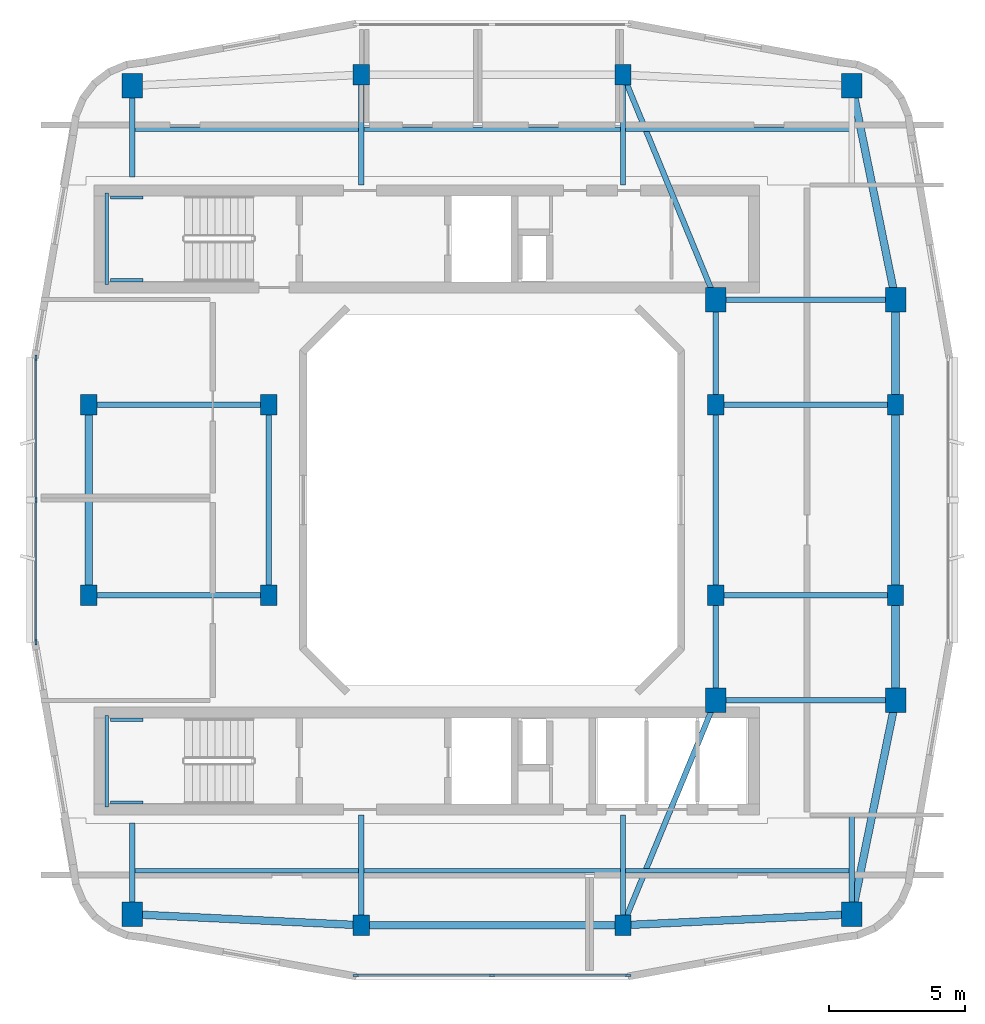
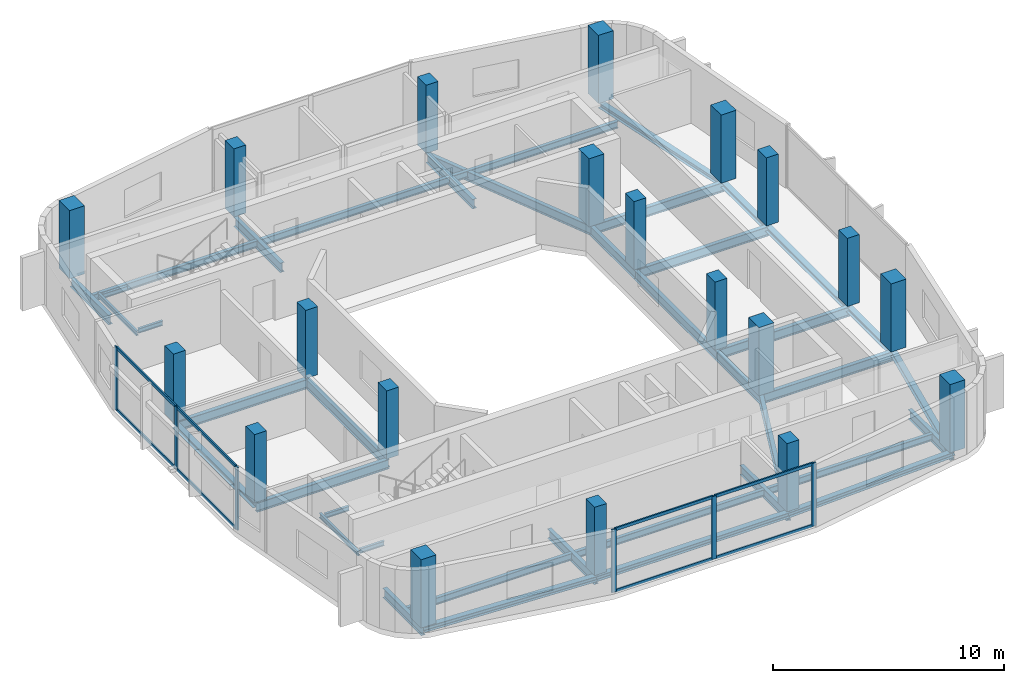
# One storey, part 1 of 10: 40 beams, 20 columns, 14 members, 2 elements without a shape of their own.
"""IFC4 building model written with IfcOpenShell, lengths in metres."""

import ifcopenshell
import ifcopenshell.guid

model = None  # the IFC model being written
_history = None  # IfcOwnerHistory: only IFC2X3 demands one
_inside = {}  # id of a spatial element -> (the spatial element, [elements in it])
_under = {}  # id of a project, library or spatial element -> (it, [spatial elements below it])
_declared = {}  # id of a project -> (the project, [libraries it declares])
_typed = {}  # id of a type object -> (the type object, [elements of that type])
_made_of = {}  # id of a material, layer set ... -> (it, [elements and type objects made of it])


def new_model(schema):
    """Start an empty IFC model of exactly this schema.

    Asked for "IFC4X3", IfcOpenShell would pick the latest addendum, in which some entities
    have other attributes; the version numbers below select the first issue.
    IFC2X3 requires an IfcOwnerHistory on every rooted entity: one is made here for all.
    """
    global model, _history
    if schema == "IFC4X3":
        model = ifcopenshell.file(schema_version=(4, 3, 0, 0))
    else:
        model = ifcopenshell.file(schema=schema)
    _inside.clear()
    _under.clear()
    _declared.clear()
    _typed.clear()
    _made_of.clear()
    _history = None
    if model.schema == "IFC2X3":
        org = make("IfcOrganization", Name="unknown")
        user = make(
            "IfcPersonAndOrganization",
            ThePerson=make("IfcPerson", FamilyName="unknown"),
            TheOrganization=org,
        )
        app = make(
            "IfcApplication",
            ApplicationDeveloper=org,
            Version="unknown",
            ApplicationFullName="unknown",
            ApplicationIdentifier="unknown",
        )
        _history = make(
            "IfcOwnerHistory",
            OwningUser=user,
            OwningApplication=app,
            ChangeAction="ADDED",
            CreationDate=0,
        )
    return model


def make(cls, **values):
    """One entity of the class cls with the attributes given. An attribute that is None is left unset."""
    return model.create_entity(
        cls, **{name: value for name, value in values.items() if value is not None}
    )


def rooted(cls, **values):
    """An entity with a GlobalId (a new one), such as an element, a storey or a relation."""
    return make(cls, GlobalId=ifcopenshell.guid.new(), OwnerHistory=_history, **values)


def si_unit(unit_type, name, prefix=None):
    """IfcSIUnit, for example si_unit("LENGTHUNIT", "METRE", prefix="MILLI")."""
    return make("IfcSIUnit", UnitType=unit_type, Prefix=prefix, Name=name)


def derived_unit(unit_type, elements):
    """IfcDerivedUnit: a product of units, each with its exponent."""
    return make(
        "IfcDerivedUnit",
        Elements=[
            make("IfcDerivedUnitElement", Unit=unit, Exponent=power)
            for unit, power in elements
        ],
        UnitType=unit_type,
    )


def assignment(units):
    """IfcUnitAssignment: the units of a project."""
    return None if units is None else make("IfcUnitAssignment", Units=units)


def point(xyz):
    """IfcCartesianPoint."""
    return None if xyz is None else make("IfcCartesianPoint", Coordinates=xyz)


def direction(xyz):
    """IfcDirection."""
    return None if xyz is None else make("IfcDirection", DirectionRatios=xyz)


def frame(location, z_axis=None, x_axis=None):
    """IfcAxis2Placement3D, a coordinate frame: its origin and axes. An axis left out is left unset."""
    return make(
        "IfcAxis2Placement3D",
        Location=point(location),
        Axis=direction(z_axis),
        RefDirection=direction(x_axis),
    )


def frame_2d(location, x_axis=None):
    """IfcAxis2Placement2D, a coordinate frame in the plane: its origin and x axis."""
    return make(
        "IfcAxis2Placement2D", Location=point(location), RefDirection=direction(x_axis)
    )


def origin():
    """The frame at (0, 0, 0) with its axes left unset."""
    return frame((0.0, 0.0, 0.0))


def origin_2d():
    """The frame at (0, 0) in the plane with its x axis left unset."""
    return frame_2d((0.0, 0.0))


def place(relative_to, where):
    """IfcLocalPlacement: puts the frame where relative to a parent placement (None: the world)."""
    return make(
        "IfcLocalPlacement", PlacementRelTo=relative_to, RelativePlacement=where
    )


def context(
    kind, dimensions, precision=None, world=None, true_north=None, identifier=None
):
    """IfcGeometricRepresentationContext, for example the 3D "Model" context."""
    return make(
        "IfcGeometricRepresentationContext",
        ContextIdentifier=identifier,
        ContextType=kind,
        CoordinateSpaceDimension=dimensions,
        Precision=precision,
        WorldCoordinateSystem=world,
        TrueNorth=true_north,
    )


def subcontext(parent, identifier, kind, view, scale=None):
    """IfcGeometricRepresentationSubContext, for example "Body" below "Model"."""
    return make(
        "IfcGeometricRepresentationSubContext",
        ContextIdentifier=identifier,
        ContextType=kind,
        ParentContext=parent,
        TargetScale=scale,
        TargetView=view,
    )


def project(units=None, contexts=None):
    """IfcProject with its units and contexts."""
    return rooted(
        "IfcProject",
        Name="project",
        RepresentationContexts=contexts,
        UnitsInContext=assignment(units),
    )


def spatial(cls, under=None, at=None, **own):
    """A site, building, storey or space (cls), placed at a placement, below another one or the project."""
    s = rooted(cls, ObjectPlacement=at, **own)
    if under is not None:
        _under.setdefault(under.id(), (under, []))[1].append(s)
    return s


def profile(cls, at=None, kind="AREA", **sizes):
    """A parametric profile (cls). Its sizes go by their IFC names, for example OverallWidth=200.0."""
    return make(cls, ProfileType=kind, Position=at, **sizes)


def rectangle(**sizes):
    """IfcRectangleProfileDef."""
    return profile("IfcRectangleProfileDef", **sizes)


def i_section(**sizes):
    """IfcIShapeProfileDef."""
    return profile("IfcIShapeProfileDef", **sizes)


def extrude(swept, where, along, depth):
    """IfcExtrudedAreaSolid: the profile swept, set in the frame where, extruded along a direction by depth."""
    return make(
        "IfcExtrudedAreaSolid",
        SweptArea=swept,
        Position=where,
        ExtrudedDirection=direction(along),
        Depth=depth,
    )


def shape(context_of_items, identifier, shape_type, items):
    """IfcShapeRepresentation: the items that make up one representation, for example the "Body"."""
    return make(
        "IfcShapeRepresentation",
        ContextOfItems=context_of_items,
        RepresentationIdentifier=identifier,
        RepresentationType=shape_type,
        Items=items,
    )


def material(Name=None, Category=None):
    """IfcMaterial."""
    return make("IfcMaterial", Name=Name, Category=Category)


def layer(
    of_material, thickness, ventilated=None, Name=None, Category=None, Priority=None
):
    """IfcMaterialLayer: one layer of a wall or slab, of a material (None: an air gap)."""
    return make(
        "IfcMaterialLayer",
        Material=of_material,
        LayerThickness=thickness,
        IsVentilated=ventilated,
        Name=Name,
        Category=Category,
        Priority=Priority,
    )


def layer_set(layers, Name=None):
    """IfcMaterialLayerSet."""
    return make("IfcMaterialLayerSet", MaterialLayers=layers, LayerSetName=Name)


def material_profile(
    of_material, cross_section, Name=None, Category=None, Priority=None
):
    """IfcMaterialProfile: a cross section and its material."""
    return make(
        "IfcMaterialProfile",
        Name=Name,
        Material=of_material,
        Profile=cross_section,
        Priority=Priority,
        Category=Category,
    )


def profile_set(profiles, Name=None, composite=None):
    """IfcMaterialProfileSet."""
    return make(
        "IfcMaterialProfileSet",
        Name=Name,
        MaterialProfiles=profiles,
        CompositeProfile=composite,
    )


def made_of(thing, what):
    """Note that an element or type object is made of a material, layer set ...; save() writes the relation."""
    if what is not None:
        _made_of.setdefault(what.id(), (what, []))[1].append(thing)
    return thing


def type_object(cls, material=None, **own):
    """A type object (cls), such as IfcWallType, which elements share."""
    return made_of(rooted(cls, **own), material)


def element(
    cls,
    number,
    at=None,
    inside=None,
    cuts=None,
    type_object=None,
    material=None,
    context=None,
    identifier="Body",
    shape_type=None,
    held_by="IfcProductDefinitionShape",
    body=None,
    shapes=None,
    **own,
):
    """One element of the class cls, such as IfcWall. Its Tag is "e" and its number.

    at: its placement. inside: the storey or other place that contains it. cuts: it is an
    opening in that element (IfcRelVoidsElement). A single representation is given by context,
    identifier, shape_type and body (its items); several are given by shapes. held_by: the class
    of the entity that holds the representations. save() writes the other relations.
    """
    e = rooted(cls, Tag="e%d" % number, ObjectPlacement=at, **own)
    if body is not None:
        shapes = [shape(context, identifier, shape_type, body)]
    if shapes is not None:
        e.Representation = make(held_by, Representations=shapes)
    if inside is not None:
        _inside.setdefault(inside.id(), (inside, []))[1].append(e)
    if cuts is not None:
        rooted(
            "IfcRelVoidsElement", RelatingBuildingElement=cuts, RelatedOpeningElement=e
        )
    if type_object is not None:
        _typed.setdefault(type_object.id(), (type_object, []))[1].append(e)
    return made_of(e, material)


def aggregate(whole, parts):
    """IfcRelAggregates: a whole, such as a stair, and the parts it consists of."""
    return rooted("IfcRelAggregates", RelatingObject=whole, RelatedObjects=parts)


def save(model, path):
    """Write the relations noted so far, then the file.

    IfcRelAggregates (storeys below a building ...), IfcRelContainedInSpatialStructure (elements
    in a storey), IfcRelDefinesByType, IfcRelAssociatesMaterial and IfcRelDeclares: one each for
    every whole, place, type object, material and project.
    """
    for whole, parts in _under.values():
        aggregate(whole, parts)
    for where, things in _inside.values():
        rooted(
            "IfcRelContainedInSpatialStructure",
            RelatedElements=things,
            RelatingStructure=where,
        )
    for kind, things in _typed.values():
        rooted("IfcRelDefinesByType", RelatedObjects=things, RelatingType=kind)
    for what, things in _made_of.values():
        rooted("IfcRelAssociatesMaterial", RelatedObjects=things, RelatingMaterial=what)
    for by, libraries in _declared.values():
        rooted("IfcRelDeclares", RelatingContext=by, RelatedDefinitions=libraries)
    model.write(path)


model = new_model("IFC4")

# Units and contexts
model_context = context("Model", 3, precision=1e-05, world=origin(), true_north=direction((0.0, 1.0)))
body_context = subcontext(model_context, "Body", "Model", "MODEL_VIEW")
ifc_project = project(units=[si_unit("LENGTHUNIT", "METRE"), si_unit("AREAUNIT", "SQUARE_METRE"), si_unit("VOLUMEUNIT", "CUBIC_METRE"), si_unit("PLANEANGLEUNIT", "RADIAN"), si_unit("MASSUNIT", "GRAM", prefix="KILO"), derived_unit("THERMALTRANSMITTANCEUNIT", [(si_unit("POWERUNIT", "WATT"), 1), (si_unit("LENGTHUNIT", "METRE"), -2), (si_unit("THERMODYNAMICTEMPERATUREUNIT", "KELVIN"), -1)])], contexts=[model_context])

# Site, building, storey
site_placement = place(None, origin())
site = spatial("IfcSite", under=ifc_project, at=site_placement, CompositionType="ELEMENT")
building_placement = place(site_placement, origin())
building = spatial("IfcBuilding", under=site, at=building_placement, Name="Kivonza Crest Hotel", CompositionType="ELEMENT")
storey_placement = place(building_placement, frame((0.0, 0.0, 264.800048828125)))
storey = spatial("IfcBuildingStorey", under=building, at=storey_placement, Name="L72", CompositionType="ELEMENT", Elevation=264.800048828125)

# Columns
ifc_material_1 = material(Name="Concrete C50/60", Category="concrete")
ifc_material_profile_1 = material_profile(ifc_material_1, rectangle(XDim=0.60009765625, YDim=0.75, at=origin_2d()), Name="RC 750x600")
ifc_profile_set_1 = profile_set([ifc_material_profile_1], Name="Concrete C50/60")
column_type_1 = type_object("IfcColumnType", Name="CL-RC-750x600", PredefinedType="COLUMN", material=ifc_profile_set_1)
for number, where, z_axis, x_axis, name in (
    (1, (16.199951171875, 9.39990234375, 0.0), (0.0, 0.0, 1.0), (1.0, 0.0, 0.0), "Tower T1 L72 column S1"),
    (2, (25.800048828125, 9.39990234375, 0.0), (0.0, 0.0, 1.0), (1.0, 0.0, 0.0), "Tower T1 L72 column S2"),
    (3, (16.199951171875, 40.60009765625, 0.0), (0.0, 0.0, 1.0), (1.0, 0.0, 0.0), "Tower T1 L72 column N1"),
    (4, (25.800048828125, 40.60009765625, 0.0), (0.0, 0.0, 1.0), (1.0, 0.0, 0.0), "Tower T1 L72 column N2"),
    (5, (6.199951171875, 21.5, 0.0), (0.0, 0.0, 1.0), (1.0, 0.0, 0.0), "Tower T1 L72 column W1"),
    (6, (6.199951171875, 28.5, 0.0), (0.0, 0.0, 1.0), (1.0, 0.0, 0.0), "Tower T1 L72 column W2"),
    (7, (35.800048828125, 21.5, 0.0), (0.0, 0.0, 1.0), (1.0, 0.0, 0.0), "Tower T1 L72 column E1"),
    (8, (35.800048828125, 28.5, 0.0), (0.0, 0.0, 1.0), (1.0, 0.0, 0.0), "Tower T1 L72 column E2"),
    (9, (12.800048828125, 21.5, 0.0), (0.0, 0.0, 1.0), (1.0, 0.0, 0.0), "Tower T1 L72 column WL1"),
    (10, (12.800048828125, 28.5, 0.0), (0.0, 0.0, 1.0), (1.0, 0.0, 0.0), "Tower T1 L72 column WL2"),
    (11, (29.199951171875, 21.5, 0.0), (0.0, 0.0, 1.0), (1.0, 0.0, 0.0), "Tower T1 L72 column WR1"),
    (12, (29.199951171875, 28.5, 0.0), (0.0, 0.0, 1.0), (1.0, 0.0, 0.0), "Tower T1 L72 column WR2"),
):
    element("IfcColumn", number, at=place(storey_placement, frame(where, z_axis=z_axis, x_axis=x_axis)), inside=storey, type_object=column_type_1, Name=name, PredefinedType="COLUMN", context=body_context, shape_type="SweptSolid", body=[
        extrude(rectangle(XDim=0.60009765625, YDim=0.75, at=origin_2d()), origin(), (0.0, 0.0, 1.0), 3.599853515625),
    ])
ifc_material_profile_2 = material_profile(ifc_material_1, rectangle(XDim=0.75, YDim=0.89990234375, at=origin_2d()), Name="RC 900x750")
ifc_profile_set_2 = profile_set([ifc_material_profile_2], Name="Concrete C50/60")
column_type_2 = type_object("IfcColumnType", Name="CL-RC-900x750", PredefinedType="COLUMN", material=ifc_profile_set_2)
for number, where, z_axis, x_axis, name in (
    (13, (7.800048828125, 9.800048828125, 0.0), (0.0, 0.0, 1.0), (1.0, 0.0, 0.0), "Tower T1 L72 column SW"),
    (14, (34.199951171875, 9.800048828125, 0.0), (0.0, 0.0, 1.0), (1.0, 0.0, 0.0), "Tower T1 L72 column SE"),
    (15, (34.199951171875, 40.199951171875, 0.0), (0.0, 0.0, 1.0), (1.0, 0.0, 0.0), "Tower T1 L72 column NE"),
    (16, (7.800048828125, 40.199951171875, 0.0), (0.0, 0.0, 1.0), (1.0, 0.0, 0.0), "Tower T1 L72 column NW"),
    (17, (35.800048828125, 17.64990234375, 0.0), (0.0, 0.0, 1.0), (1.0, 0.0, 0.0), "Tower T1 L72 column PSE"),
    (18, (35.800048828125, 32.35009765625, 0.0), (0.0, 0.0, 1.0), (1.0, 0.0, 0.0), "Tower T1 L72 column PNE"),
    (19, (29.199951171875, 17.64990234375, 0.0), (0.0, 0.0, 1.0), (1.0, 0.0, 0.0), "Tower T1 L72 column TSE"),
    (20, (29.199951171875, 32.35009765625, 0.0), (0.0, 0.0, 1.0), (1.0, 0.0, 0.0), "Tower T1 L72 column TNE"),
):
    element("IfcColumn", number, at=place(storey_placement, frame(where, z_axis=z_axis, x_axis=x_axis)), inside=storey, type_object=column_type_2, Name=name, PredefinedType="COLUMN", context=body_context, shape_type="SweptSolid", body=[
        extrude(rectangle(XDim=0.75, YDim=0.89990234375, at=origin_2d()), origin(), (0.0, 0.0, 1.0), 3.599853515625),
    ])

# Beams
ifc_material_2 = material(Name="Steel S355", Category="steel")
ifc_material_profile_3 = material_profile(ifc_material_2, i_section(OverallWidth=0.280029296875, OverallDepth=0.280029296875, WebThickness=0.010498046875, FlangeThickness=0.01806640625, FilletRadius=0.02392578125, at=origin_2d()), Name="HEB 280")
ifc_profile_set_3 = profile_set([ifc_material_profile_3], Name="Steel S355")
beam_type_1 = type_object("IfcBeamType", Name="BM-HEB280", PredefinedType="SPANDREL", material=ifc_profile_set_3)
beam_1_placement = place(storey_placement, frame((16.199951171875, 9.39990234375, -0.420166015625), z_axis=(1.0, 0.0, 0.0), x_axis=(0.0, 1.0, 0.0)))
element("IfcBeam", 21, at=beam_1_placement, inside=storey, type_object=beam_type_1, Name="Tower T1 L72 perimeter spandrel S1-S2", PredefinedType="SPANDREL", context=body_context, shape_type="SweptSolid", body=[
    extrude(i_section(OverallWidth=0.280029296875, OverallDepth=0.280029296875, WebThickness=0.010498046875, FlangeThickness=0.01806640625, FilletRadius=0.02392578125, at=origin_2d()), origin(), (0.0, 0.0, 1.0), 9.60009765625),
])
beam_2_placement = place(storey_placement, frame((25.800048828125, 9.39990234375, -0.420166015625), z_axis=(0.998867283688, 0.047583080799, 0.0), x_axis=(-0.047583080799, 0.998867283688, 0.0)))
element("IfcBeam", 22, at=beam_2_placement, inside=storey, type_object=beam_type_1, Name="Tower T1 L72 perimeter spandrel S2-SE", PredefinedType="SPANDREL", context=body_context, shape_type="SweptSolid", body=[
    extrude(i_section(OverallWidth=0.280029296875, OverallDepth=0.280029296875, WebThickness=0.010498046875, FlangeThickness=0.01806640625, FilletRadius=0.02392578125, at=origin_2d()), origin(), (0.0, 0.0, 1.0), 8.409423828125),
])
beam_3_placement = place(storey_placement, frame((34.199951171875, 9.800048828125, -0.420166015625), z_axis=(0.199730733965, 0.979850822273, 0.0), x_axis=(-0.979850822273, 0.199730733965, 0.0)))
element("IfcBeam", 23, at=beam_3_placement, inside=storey, type_object=beam_type_1, Name="Tower T1 L72 perimeter spandrel SE-PSE", PredefinedType="SPANDREL", context=body_context, shape_type="SweptSolid", body=[
    extrude(i_section(OverallWidth=0.280029296875, OverallDepth=0.280029296875, WebThickness=0.010498046875, FlangeThickness=0.01806640625, FilletRadius=0.02392578125, at=origin_2d()), origin(), (0.0, 0.0, 1.0), 8.01123046875),
])
beam_4_placement = place(storey_placement, frame((35.800048828125, 17.64990234375, -0.420166015625), z_axis=(0.0, 1.0, 0.0), x_axis=(-1.0, 0.0, 0.0)))
element("IfcBeam", 24, at=beam_4_placement, inside=storey, type_object=beam_type_1, Name="Tower T1 L72 perimeter spandrel PSE-E1", PredefinedType="SPANDREL", context=body_context, shape_type="SweptSolid", body=[
    extrude(i_section(OverallWidth=0.280029296875, OverallDepth=0.280029296875, WebThickness=0.010498046875, FlangeThickness=0.01806640625, FilletRadius=0.02392578125, at=origin_2d()), origin(), (0.0, 0.0, 1.0), 3.85009765625),
])
beam_5_placement = place(storey_placement, frame((35.800048828125, 21.5, -0.420166015625), z_axis=(0.0, 1.0, 0.0), x_axis=(-1.0, 0.0, 0.0)))
element("IfcBeam", 25, at=beam_5_placement, inside=storey, type_object=beam_type_1, Name="Tower T1 L72 perimeter spandrel E1-E2", PredefinedType="SPANDREL", context=body_context, shape_type="SweptSolid", body=[
    extrude(i_section(OverallWidth=0.280029296875, OverallDepth=0.280029296875, WebThickness=0.010498046875, FlangeThickness=0.01806640625, FilletRadius=0.02392578125, at=origin_2d()), origin(), (0.0, 0.0, 1.0), 7.0),
])
beam_6_placement = place(storey_placement, frame((35.800048828125, 28.5, -0.420166015625), z_axis=(0.0, 1.0, 0.0), x_axis=(-1.0, 0.0, 0.0)))
element("IfcBeam", 26, at=beam_6_placement, inside=storey, type_object=beam_type_1, Name="Tower T1 L72 perimeter spandrel E2-PNE", PredefinedType="SPANDREL", context=body_context, shape_type="SweptSolid", body=[
    extrude(i_section(OverallWidth=0.280029296875, OverallDepth=0.280029296875, WebThickness=0.010498046875, FlangeThickness=0.01806640625, FilletRadius=0.02392578125, at=origin_2d()), origin(), (0.0, 0.0, 1.0), 3.85009765625),
])
beam_7_placement = place(storey_placement, frame((35.800048828125, 32.35009765625, -0.420166015625), z_axis=(-0.199730733965, 0.979850822273, 0.0), x_axis=(-0.979850822273, -0.199730733965, 0.0)))
element("IfcBeam", 27, at=beam_7_placement, inside=storey, type_object=beam_type_1, Name="Tower T1 L72 perimeter spandrel PNE-NE", PredefinedType="SPANDREL", context=body_context, shape_type="SweptSolid", body=[
    extrude(i_section(OverallWidth=0.280029296875, OverallDepth=0.280029296875, WebThickness=0.010498046875, FlangeThickness=0.01806640625, FilletRadius=0.02392578125, at=origin_2d()), origin(), (0.0, 0.0, 1.0), 8.01123046875),
])
beam_8_placement = place(storey_placement, frame((6.199951171875, 28.5, -0.420166015625), z_axis=(0.0, -1.0, 0.0), x_axis=(1.0, 0.0, 0.0)))
element("IfcBeam", 28, at=beam_8_placement, inside=storey, type_object=beam_type_1, Name="Tower T1 L72 perimeter spandrel W2-W1", PredefinedType="SPANDREL", context=body_context, shape_type="SweptSolid", body=[
    extrude(i_section(OverallWidth=0.280029296875, OverallDepth=0.280029296875, WebThickness=0.010498046875, FlangeThickness=0.01806640625, FilletRadius=0.02392578125, at=origin_2d()), origin(), (0.0, 0.0, 1.0), 7.0),
])
beam_9_placement = place(storey_placement, frame((7.800048828125, 9.800048828125, -0.420166015625), z_axis=(0.998867283688, -0.047583080799, 0.0), x_axis=(0.047583080799, 0.998867283688, 0.0)))
element("IfcBeam", 29, at=beam_9_placement, inside=storey, type_object=beam_type_1, Name="Tower T1 L72 perimeter spandrel SW-S1", PredefinedType="SPANDREL", context=body_context, shape_type="SweptSolid", body=[
    extrude(i_section(OverallWidth=0.280029296875, OverallDepth=0.280029296875, WebThickness=0.010498046875, FlangeThickness=0.01806640625, FilletRadius=0.02392578125, at=origin_2d()), origin(), (0.0, 0.0, 1.0), 8.409423828125),
])
ifc_material_profile_4 = material_profile(ifc_material_2, i_section(OverallWidth=0.169921875, OverallDepth=0.360107421875, WebThickness=0.008056640625, FlangeThickness=0.0126953125, FilletRadius=0.01806640625, at=origin_2d()), Name="IPE 360")
ifc_profile_set_4 = profile_set([ifc_material_profile_4], Name="Steel S355")
beam_type_2 = type_object("IfcBeamType", Name="BM-IPE360", PredefinedType="JOIST", material=ifc_profile_set_4)
beam_10_placement = place(storey_placement, frame((7.8798828125, 11.39990234375, -0.4599609375), z_axis=(1.0, 0.0, 0.0), x_axis=(0.0, 1.0, 0.0)))
element("IfcBeam", 30, at=beam_10_placement, inside=storey, type_object=beam_type_2, Name="Tower T1 L72 South-West floor joist", PredefinedType="JOIST", context=body_context, shape_type="SweptSolid", body=[
    extrude(i_section(OverallWidth=0.169921875, OverallDepth=0.360107421875, WebThickness=0.008056640625, FlangeThickness=0.0126953125, FilletRadius=0.01806640625, at=origin_2d()), origin(), (0.0, 0.0, 1.0), 8.240234375),
])
beam_11_placement = place(storey_placement, frame((16.280029296875, 11.39990234375, -0.4599609375), z_axis=(1.0, 0.0, 0.0), x_axis=(0.0, 1.0, 0.0)))
element("IfcBeam", 31, at=beam_11_placement, inside=storey, type_object=beam_type_2, Name="Tower T1 L72 South-Mid floor joist", PredefinedType="JOIST", context=body_context, shape_type="SweptSolid", body=[
    extrude(i_section(OverallWidth=0.169921875, OverallDepth=0.360107421875, WebThickness=0.008056640625, FlangeThickness=0.0126953125, FilletRadius=0.01806640625, at=origin_2d()), origin(), (0.0, 0.0, 1.0), 9.43994140625),
])
for number, where, z_axis, x_axis, name in (
    (32, (25.8798828125, 11.39990234375, -0.4599609375), (1.0, 0.0, 0.0), (0.0, 1.0, 0.0), "Tower T1 L72 South-East floor joist"),
    (33, (7.8798828125, 38.60009765625, -0.4599609375), (1.0, 0.0, 0.0), (0.0, 1.0, 0.0), "Tower T1 L72 North-West floor joist"),
):
    element("IfcBeam", number, at=place(storey_placement, frame(where, z_axis=z_axis, x_axis=x_axis)), inside=storey, type_object=beam_type_2, Name=name, PredefinedType="JOIST", context=body_context, shape_type="SweptSolid", body=[
        extrude(i_section(OverallWidth=0.169921875, OverallDepth=0.360107421875, WebThickness=0.008056640625, FlangeThickness=0.0126953125, FilletRadius=0.01806640625, at=origin_2d()), origin(), (0.0, 0.0, 1.0), 8.240234375),
    ])
beam_12_placement = place(storey_placement, frame((16.280029296875, 38.60009765625, -0.4599609375), z_axis=(1.0, 0.0, 0.0), x_axis=(0.0, 1.0, 0.0)))
element("IfcBeam", 34, at=beam_12_placement, inside=storey, type_object=beam_type_2, Name="Tower T1 L72 North-Mid floor joist", PredefinedType="JOIST", context=body_context, shape_type="SweptSolid", body=[
    extrude(i_section(OverallWidth=0.169921875, OverallDepth=0.360107421875, WebThickness=0.008056640625, FlangeThickness=0.0126953125, FilletRadius=0.01806640625, at=origin_2d()), origin(), (0.0, 0.0, 1.0), 9.43994140625),
])
beam_13_placement = place(storey_placement, frame((25.8798828125, 38.60009765625, -0.4599609375), z_axis=(1.0, 0.0, 0.0), x_axis=(0.0, 1.0, 0.0)))
element("IfcBeam", 35, at=beam_13_placement, inside=storey, type_object=beam_type_2, Name="Tower T1 L72 North-East floor joist", PredefinedType="JOIST", context=body_context, shape_type="SweptSolid", body=[
    extrude(i_section(OverallWidth=0.169921875, OverallDepth=0.360107421875, WebThickness=0.008056640625, FlangeThickness=0.0126953125, FilletRadius=0.01806640625, at=origin_2d()), origin(), (0.0, 0.0, 1.0), 8.240234375),
])
ifc_material_profile_5 = material_profile(ifc_material_2, i_section(OverallWidth=0.199951171875, OverallDepth=0.5, WebThickness=0.01025390625, FlangeThickness=0.01611328125, FilletRadius=0.02099609375, at=origin_2d()), Name="IPE 500")
ifc_profile_set_5 = profile_set([ifc_material_profile_5], Name="Steel S355")
beam_type_3 = type_object("IfcBeamType", Name="BM-IPE500", PredefinedType="BEAM", material=ifc_profile_set_5)
for number, where, z_axis, x_axis, name in (
    (36, (6.199951171875, 21.5, -0.530029296875), (1.0, 0.0, 0.0), (0.0, 1.0, 0.0), "Tower T1 L72 primary girder W1-WL1"),
    (37, (6.199951171875, 28.5, -0.530029296875), (1.0, 0.0, 0.0), (0.0, 1.0, 0.0), "Tower T1 L72 primary girder W2-WL2"),
):
    element("IfcBeam", number, at=place(storey_placement, frame(where, z_axis=z_axis, x_axis=x_axis)), inside=storey, type_object=beam_type_3, Name=name, PredefinedType="BEAM", context=body_context, shape_type="SweptSolid", body=[
        extrude(i_section(OverallWidth=0.199951171875, OverallDepth=0.5, WebThickness=0.01025390625, FlangeThickness=0.01611328125, FilletRadius=0.02099609375, at=origin_2d()), origin(), (0.0, 0.0, 1.0), 6.60009765625),
    ])
beam_14_placement = place(storey_placement, frame((12.800048828125, 21.5, -0.530029296875), z_axis=(0.0, 1.0, 0.0), x_axis=(-1.0, 0.0, 0.0)))
element("IfcBeam", 38, at=beam_14_placement, inside=storey, type_object=beam_type_3, Name="Tower T1 L72 primary girder WL1-WL2", PredefinedType="BEAM", context=body_context, shape_type="SweptSolid", body=[
    extrude(i_section(OverallWidth=0.199951171875, OverallDepth=0.5, WebThickness=0.01025390625, FlangeThickness=0.01611328125, FilletRadius=0.02099609375, at=origin_2d()), origin(), (0.0, 0.0, 1.0), 7.0),
])
for number, where, z_axis, x_axis, name in (
    (39, (25.800048828125, 9.39990234375, -0.530029296875), (0.381022260404, 0.924565864109, 0.0), (-0.924565864109, 0.381022260404, 0.0), "Tower T1 L72 primary girder S1-TSE"),
    (40, (25.800048828125, 40.60009765625, -0.530029296875), (0.381022260404, -0.924565864109, 0.0), (0.924565864109, 0.381022260404, 0.0), "Tower T1 L72 primary girder N1-TNE"),
):
    element("IfcBeam", number, at=place(storey_placement, frame(where, z_axis=z_axis, x_axis=x_axis)), inside=storey, type_object=beam_type_3, Name=name, PredefinedType="BEAM", context=body_context, shape_type="SweptSolid", body=[
        extrude(i_section(OverallWidth=0.199951171875, OverallDepth=0.5, WebThickness=0.01025390625, FlangeThickness=0.01611328125, FilletRadius=0.02099609375, at=origin_2d()), origin(), (0.0, 0.0, 1.0), 8.923095703125),
    ])
for number, where, z_axis, x_axis, name in (
    (41, (29.199951171875, 17.64990234375, -0.530029296875), (1.0, 0.0, 0.0), (0.0, 1.0, 0.0), "Tower T1 L72 primary girder TSE-PSE"),
    (42, (29.199951171875, 32.35009765625, -0.530029296875), (1.0, 0.0, 0.0), (0.0, 1.0, 0.0), "Tower T1 L72 primary girder TNE-PNE"),
):
    element("IfcBeam", number, at=place(storey_placement, frame(where, z_axis=z_axis, x_axis=x_axis)), inside=storey, type_object=beam_type_3, Name=name, PredefinedType="BEAM", context=body_context, shape_type="SweptSolid", body=[
        extrude(i_section(OverallWidth=0.199951171875, OverallDepth=0.5, WebThickness=0.01025390625, FlangeThickness=0.01611328125, FilletRadius=0.02099609375, at=origin_2d()), origin(), (0.0, 0.0, 1.0), 6.60009765625),
    ])
beam_15_placement = place(storey_placement, frame((29.199951171875, 21.5, -0.530029296875), z_axis=(0.0, 1.0, 0.0), x_axis=(-1.0, 0.0, 0.0)))
element("IfcBeam", 43, at=beam_15_placement, inside=storey, type_object=beam_type_3, Name="Tower T1 L72 primary girder WR1-WR2", PredefinedType="BEAM", context=body_context, shape_type="SweptSolid", body=[
    extrude(i_section(OverallWidth=0.199951171875, OverallDepth=0.5, WebThickness=0.01025390625, FlangeThickness=0.01611328125, FilletRadius=0.02099609375, at=origin_2d()), origin(), (0.0, 0.0, 1.0), 7.0),
])
for number, where, z_axis, x_axis, name in (
    (44, (29.199951171875, 17.64990234375, -0.530029296875), (0.0, 1.0, 0.0), (-1.0, 0.0, 0.0), "Tower T1 L72 primary girder TSE-WR1"),
    (45, (29.199951171875, 28.5, -0.530029296875), (0.0, 1.0, 0.0), (-1.0, 0.0, 0.0), "Tower T1 L72 primary girder WR2-TNE"),
):
    element("IfcBeam", number, at=place(storey_placement, frame(where, z_axis=z_axis, x_axis=x_axis)), inside=storey, type_object=beam_type_3, Name=name, PredefinedType="BEAM", context=body_context, shape_type="SweptSolid", body=[
        extrude(i_section(OverallWidth=0.199951171875, OverallDepth=0.5, WebThickness=0.01025390625, FlangeThickness=0.01611328125, FilletRadius=0.02099609375, at=origin_2d()), origin(), (0.0, 0.0, 1.0), 3.85009765625),
    ])
for number, where, z_axis, x_axis, name in (
    (46, (29.199951171875, 21.5, -0.530029296875), (1.0, 0.0, 0.0), (0.0, 1.0, 0.0), "Tower T1 L72 primary girder WR1-E1"),
    (47, (29.199951171875, 28.5, -0.530029296875), (1.0, 0.0, 0.0), (0.0, 1.0, 0.0), "Tower T1 L72 primary girder WR2-E2"),
):
    element("IfcBeam", number, at=place(storey_placement, frame(where, z_axis=z_axis, x_axis=x_axis)), inside=storey, type_object=beam_type_3, Name=name, PredefinedType="BEAM", context=body_context, shape_type="SweptSolid", body=[
        extrude(i_section(OverallWidth=0.199951171875, OverallDepth=0.5, WebThickness=0.01025390625, FlangeThickness=0.01611328125, FilletRadius=0.02099609375, at=origin_2d()), origin(), (0.0, 0.0, 1.0), 6.60009765625),
    ])
beam_16_placement = place(storey_placement, frame((7.800048828125, 9.800048828125, -0.530029296875), z_axis=(0.0, 1.0, 0.0), x_axis=(-1.0, 0.0, 0.0)))
element("IfcBeam", 48, at=beam_16_placement, inside=storey, type_object=beam_type_3, Name="Tower T1 L72 radial core girder RSW", PredefinedType="BEAM", context=body_context, shape_type="SweptSolid", body=[
    extrude(i_section(OverallWidth=0.199951171875, OverallDepth=0.5, WebThickness=0.01025390625, FlangeThickness=0.01611328125, FilletRadius=0.02099609375, at=origin_2d()), origin(), (0.0, 0.0, 1.0), 3.349853515625),
])
for number, where, z_axis, x_axis, name in (
    (49, (16.199951171875, 9.39990234375, -0.530029296875), (0.0, 1.0, 0.0), (-1.0, 0.0, 0.0), "Tower T1 L72 radial core girder RS1"),
    (50, (25.800048828125, 9.39990234375, -0.530029296875), (0.0, 1.0, 0.0), (-1.0, 0.0, 0.0), "Tower T1 L72 radial core girder RS2"),
):
    element("IfcBeam", number, at=place(storey_placement, frame(where, z_axis=z_axis, x_axis=x_axis)), inside=storey, type_object=beam_type_3, Name=name, PredefinedType="BEAM", context=body_context, shape_type="SweptSolid", body=[
        extrude(i_section(OverallWidth=0.199951171875, OverallDepth=0.5, WebThickness=0.01025390625, FlangeThickness=0.01611328125, FilletRadius=0.02099609375, at=origin_2d()), origin(), (0.0, 0.0, 1.0), 4.050048828125),
    ])
beam_17_placement = place(storey_placement, frame((34.199951171875, 9.800048828125, -0.530029296875), z_axis=(0.0, 1.0, 0.0), x_axis=(-1.0, 0.0, 0.0)))
element("IfcBeam", 51, at=beam_17_placement, inside=storey, type_object=beam_type_3, Name="Tower T1 L72 radial core girder RSE", PredefinedType="BEAM", context=body_context, shape_type="SweptSolid", body=[
    extrude(i_section(OverallWidth=0.199951171875, OverallDepth=0.5, WebThickness=0.01025390625, FlangeThickness=0.01611328125, FilletRadius=0.02099609375, at=origin_2d()), origin(), (0.0, 0.0, 1.0), 3.64990234375),
])
beam_18_placement = place(storey_placement, frame((7.800048828125, 40.199951171875, -0.530029296875), z_axis=(0.0, -1.0, 0.0), x_axis=(1.0, 0.0, 0.0)))
element("IfcBeam", 52, at=beam_18_placement, inside=storey, type_object=beam_type_3, Name="Tower T1 L72 radial core girder RNW", PredefinedType="BEAM", context=body_context, shape_type="SweptSolid", body=[
    extrude(i_section(OverallWidth=0.199951171875, OverallDepth=0.5, WebThickness=0.01025390625, FlangeThickness=0.01611328125, FilletRadius=0.02099609375, at=origin_2d()), origin(), (0.0, 0.0, 1.0), 3.349853515625),
])
for number, where, z_axis, x_axis, name in (
    (53, (16.199951171875, 40.60009765625, -0.530029296875), (0.0, -1.0, 0.0), (1.0, 0.0, 0.0), "Tower T1 L72 radial core girder RN1"),
    (54, (25.800048828125, 40.60009765625, -0.530029296875), (0.0, -1.0, 0.0), (1.0, 0.0, 0.0), "Tower T1 L72 radial core girder RN2"),
):
    element("IfcBeam", number, at=place(storey_placement, frame(where, z_axis=z_axis, x_axis=x_axis)), inside=storey, type_object=beam_type_3, Name=name, PredefinedType="BEAM", context=body_context, shape_type="SweptSolid", body=[
        extrude(i_section(OverallWidth=0.199951171875, OverallDepth=0.5, WebThickness=0.01025390625, FlangeThickness=0.01611328125, FilletRadius=0.02099609375, at=origin_2d()), origin(), (0.0, 0.0, 1.0), 4.050048828125),
    ])
ifc_material_profile_6 = material_profile(ifc_material_2, i_section(OverallWidth=0.1201171875, OverallDepth=0.239990234375, WebThickness=0.006103515625, FlangeThickness=0.009765625, FilletRadius=0.014892578125, at=origin_2d()), Name="IPE 240")
ifc_profile_set_6 = profile_set([ifc_material_profile_6], Name="Steel S355")
beam_type_4 = type_object("IfcBeamType", Name="BM-LLDG-240", PredefinedType="BEAM", material=ifc_profile_set_6)
beam_19_placement = place(storey_placement, frame((6.860107421875, 32.89990234375, 1.47998046875), z_axis=(0.0, 1.0, 0.0), x_axis=(-1.0, 0.0, 0.0)))
element("IfcBeam", 55, at=beam_19_placement, inside=storey, type_object=beam_type_4, Name="Stair ST-T1-N L72 West landing corbel", PredefinedType="BEAM", context=body_context, shape_type="SweptSolid", body=[
    extrude(i_section(OverallWidth=0.1201171875, OverallDepth=0.239990234375, WebThickness=0.006103515625, FlangeThickness=0.009765625, FilletRadius=0.014892578125, at=origin_2d()), origin(), (0.0, 0.0, 1.0), 3.360107421875),
])
for number, where, z_axis, x_axis, name in (
    (56, (6.989990234375, 33.06005859375, 1.47998046875), (1.0, 0.0, 0.0), (0.0, 1.0, 0.0), "Stair ST-T1-N L72 South landing corbel"),
    (57, (6.989990234375, 36.10009765625, 1.47998046875), (1.0, 0.0, 0.0), (0.0, 1.0, 0.0), "Stair ST-T1-N L72 North landing corbel"),
):
    element("IfcBeam", number, at=place(storey_placement, frame(where, z_axis=z_axis, x_axis=x_axis)), inside=storey, type_object=beam_type_4, Name=name, PredefinedType="BEAM", context=body_context, shape_type="SweptSolid", body=[
        extrude(i_section(OverallWidth=0.1201171875, OverallDepth=0.239990234375, WebThickness=0.006103515625, FlangeThickness=0.009765625, FilletRadius=0.014892578125, at=origin_2d()), origin(), (0.0, 0.0, 1.0), 1.2099609375),
    ])
beam_20_placement = place(storey_placement, frame((6.860107421875, 13.739990234375, 1.47998046875), z_axis=(0.0, 1.0, 0.0), x_axis=(-1.0, 0.0, 0.0)))
element("IfcBeam", 58, at=beam_20_placement, inside=storey, type_object=beam_type_4, Name="Stair ST-T1-S L72 West landing corbel", PredefinedType="BEAM", context=body_context, shape_type="SweptSolid", body=[
    extrude(i_section(OverallWidth=0.1201171875, OverallDepth=0.239990234375, WebThickness=0.006103515625, FlangeThickness=0.009765625, FilletRadius=0.014892578125, at=origin_2d()), origin(), (0.0, 0.0, 1.0), 3.360107421875),
])
for number, where, z_axis, x_axis, name in (
    (59, (6.989990234375, 13.89990234375, 1.47998046875), (1.0, 0.0, 0.0), (0.0, 1.0, 0.0), "Stair ST-T1-S L72 South landing corbel"),
    (60, (6.989990234375, 16.93994140625, 1.47998046875), (1.0, 0.0, 0.0), (0.0, 1.0, 0.0), "Stair ST-T1-S L72 North landing corbel"),
):
    element("IfcBeam", number, at=place(storey_placement, frame(where, z_axis=z_axis, x_axis=x_axis)), inside=storey, type_object=beam_type_4, Name=name, PredefinedType="BEAM", context=body_context, shape_type="SweptSolid", body=[
        extrude(i_section(OverallWidth=0.1201171875, OverallDepth=0.239990234375, WebThickness=0.006103515625, FlangeThickness=0.009765625, FilletRadius=0.014892578125, at=origin_2d()), origin(), (0.0, 0.0, 1.0), 1.2099609375),
    ])

# Curtain wall, members
ifc_material_3 = material(Name="Anodised bronze aluminium and low-E double glazing", Category="aluminium")
ifc_layer = layer(ifc_material_3, 0.199951171875)
ifc_layer_set = layer_set([ifc_layer], Name="Anodised bronze aluminium and low-E double glazing")
curtain_wall_type = type_object("IfcCurtainWallType", Name="CW-SYS-6", PredefinedType="NOTDEFINED", material=ifc_layer_set)
curtain_wall_1_placement = place(storey_placement, origin())
curtain_wall_1 = element("IfcCurtainWall", 61, at=curtain_wall_1_placement, inside=storey, type_object=curtain_wall_type, Name="L72 unitised curtain wall CW-T1-L72-08", PredefinedType="NOTDEFINED")
ifc_material_4 = material(Name="Anodised bronze aluminium", Category="aluminium")
ifc_material_profile_7 = material_profile(ifc_material_4, rectangle(XDim=0.074951171875, YDim=0.219970703125, at=origin_2d()), Name="CW-M 75x220")
ifc_profile_set_7 = profile_set([ifc_material_profile_7], Name="Anodised bronze aluminium")
member_type_1 = type_object("IfcMemberType", Name="CW-MUL-75x220", PredefinedType="MULLION", material=ifc_profile_set_7)
member_1_placement = place(storey_placement, frame((16.007568359375, 7.56005859375, 0.0), z_axis=(0.0, 0.0, 1.0), x_axis=(0.0, 1.0, 0.0)))
member_1 = element("IfcMember", 62, at=member_1_placement, type_object=member_type_1, Name="CW-6 mullion 1", PredefinedType="MULLION", context=body_context, shape_type="SweptSolid", body=[
    extrude(rectangle(XDim=0.074951171875, YDim=0.219970703125, at=origin_2d()), origin(), (0.0, 0.0, 1.0), 3.320068359375),
])
member_2_placement = place(storey_placement, frame((21.0, 7.56005859375, 0.0), z_axis=(0.0, 0.0, 1.0), x_axis=(0.0, 1.0, 0.0)))
member_2 = element("IfcMember", 63, at=member_2_placement, type_object=member_type_1, Name="CW-6 mullion 2", PredefinedType="MULLION", context=body_context, shape_type="SweptSolid", body=[
    extrude(rectangle(XDim=0.074951171875, YDim=0.219970703125, at=origin_2d()), origin(), (0.0, 0.0, 1.0), 3.320068359375),
])
member_3_placement = place(storey_placement, frame((25.992431640625, 7.56005859375, 0.0), z_axis=(0.0, 0.0, 1.0), x_axis=(0.0, 1.0, 0.0)))
member_3 = element("IfcMember", 64, at=member_3_placement, type_object=member_type_1, Name="CW-6 mullion 3", PredefinedType="MULLION", context=body_context, shape_type="SweptSolid", body=[
    extrude(rectangle(XDim=0.074951171875, YDim=0.219970703125, at=origin_2d()), origin(), (0.0, 0.0, 1.0), 3.320068359375),
])

curtain_wall_2_placement = place(storey_placement, origin())
curtain_wall_2 = element("IfcCurtainWall", 65, at=curtain_wall_2_placement, inside=storey, type_object=curtain_wall_type, Name="L72 unitised curtain wall CW-T1-L72-35", PredefinedType="NOTDEFINED")
member_4_placement = place(storey_placement, frame((4.260009765625, 30.202392578125, 0.0), z_axis=(0.0, 0.0, 1.0), x_axis=(1.0, 0.0, 0.0)))
member_4 = element("IfcMember", 66, at=member_4_placement, type_object=member_type_1, Name="CW-6 mullion 1", PredefinedType="MULLION", context=body_context, shape_type="SweptSolid", body=[
    extrude(rectangle(XDim=0.074951171875, YDim=0.219970703125, at=origin_2d()), origin(), (0.0, 0.0, 1.0), 3.320068359375),
])
member_5_placement = place(storey_placement, frame((4.260009765625, 25.0, 0.0), z_axis=(0.0, 0.0, 1.0), x_axis=(1.0, 0.0, 0.0)))
member_5 = element("IfcMember", 67, at=member_5_placement, type_object=member_type_1, Name="CW-6 mullion 2", PredefinedType="MULLION", context=body_context, shape_type="SweptSolid", body=[
    extrude(rectangle(XDim=0.074951171875, YDim=0.219970703125, at=origin_2d()), origin(), (0.0, 0.0, 1.0), 3.320068359375),
])
member_6_placement = place(storey_placement, frame((4.260009765625, 19.797607421875, 0.0), z_axis=(0.0, 0.0, 1.0), x_axis=(1.0, 0.0, 0.0)))
member_6 = element("IfcMember", 68, at=member_6_placement, type_object=member_type_1, Name="CW-6 mullion 3", PredefinedType="MULLION", context=body_context, shape_type="SweptSolid", body=[
    extrude(rectangle(XDim=0.074951171875, YDim=0.219970703125, at=origin_2d()), origin(), (0.0, 0.0, 1.0), 3.320068359375),
])

# Member
ifc_material_profile_8 = material_profile(ifc_material_4, rectangle(XDim=0.074951171875, YDim=0.159912109375, at=origin_2d()), Name="CW-T 75x160")
ifc_profile_set_8 = profile_set([ifc_material_profile_8], Name="Anodised bronze aluminium")
member_type_2 = type_object("IfcMemberType", Name="CW-TRN-75x160", PredefinedType="USERDEFINED", material=ifc_profile_set_8)
member_7_placement = place(storey_placement, frame((16.044921875, 7.56005859375, 0.037353515625), z_axis=(1.0, 0.0, 0.0), x_axis=(0.0, 1.0, 0.0)))
member_7 = element("IfcMember", 69, at=member_7_placement, type_object=member_type_2, Name="CW-6 transom 1.1", ObjectType="TRANSOM", PredefinedType="USERDEFINED", context=body_context, shape_type="SweptSolid", body=[
    extrude(rectangle(XDim=0.074951171875, YDim=0.159912109375, at=origin_2d()), origin(), (0.0, 0.0, 1.0), 4.91748046875),
])

member_8_placement = place(storey_placement, frame((16.044921875, 7.56005859375, 3.282470703125), z_axis=(1.0, 0.0, 0.0), x_axis=(0.0, 1.0, 0.0)))
member_8 = element("IfcMember", 70, at=member_8_placement, type_object=member_type_2, Name="CW-6 transom 1.2", ObjectType="TRANSOM", PredefinedType="USERDEFINED", context=body_context, shape_type="SweptSolid", body=[
    extrude(rectangle(XDim=0.074951171875, YDim=0.159912109375, at=origin_2d()), origin(), (0.0, 0.0, 1.0), 4.91748046875),
])

member_9_placement = place(storey_placement, frame((21.03759765625, 7.56005859375, 0.037353515625), z_axis=(1.0, 0.0, 0.0), x_axis=(0.0, 1.0, 0.0)))
member_9 = element("IfcMember", 71, at=member_9_placement, type_object=member_type_2, Name="CW-6 transom 2.1", ObjectType="TRANSOM", PredefinedType="USERDEFINED", context=body_context, shape_type="SweptSolid", body=[
    extrude(rectangle(XDim=0.074951171875, YDim=0.159912109375, at=origin_2d()), origin(), (0.0, 0.0, 1.0), 4.91748046875),
])

member_10_placement = place(storey_placement, frame((21.03759765625, 7.56005859375, 3.282470703125), z_axis=(1.0, 0.0, 0.0), x_axis=(0.0, 1.0, 0.0)))
member_10 = element("IfcMember", 72, at=member_10_placement, type_object=member_type_2, Name="CW-6 transom 2.2", ObjectType="TRANSOM", PredefinedType="USERDEFINED", context=body_context, shape_type="SweptSolid", body=[
    extrude(rectangle(XDim=0.074951171875, YDim=0.159912109375, at=origin_2d()), origin(), (0.0, 0.0, 1.0), 4.91748046875),
])

aggregate(curtain_wall_1, [member_1, member_2, member_3, member_7, member_8, member_9, member_10])

member_11_placement = place(storey_placement, frame((4.260009765625, 30.1650390625, 0.037353515625), z_axis=(0.0, -1.0, 0.0), x_axis=(1.0, 0.0, 0.0)))
member_11 = element("IfcMember", 73, at=member_11_placement, type_object=member_type_2, Name="CW-6 transom 1.1", ObjectType="TRANSOM", PredefinedType="USERDEFINED", context=body_context, shape_type="SweptSolid", body=[
    extrude(rectangle(XDim=0.074951171875, YDim=0.159912109375, at=origin_2d()), origin(), (0.0, 0.0, 1.0), 5.12744140625),
])

member_12_placement = place(storey_placement, frame((4.260009765625, 30.1650390625, 3.282470703125), z_axis=(0.0, -1.0, 0.0), x_axis=(1.0, 0.0, 0.0)))
member_12 = element("IfcMember", 74, at=member_12_placement, type_object=member_type_2, Name="CW-6 transom 1.2", ObjectType="TRANSOM", PredefinedType="USERDEFINED", context=body_context, shape_type="SweptSolid", body=[
    extrude(rectangle(XDim=0.074951171875, YDim=0.159912109375, at=origin_2d()), origin(), (0.0, 0.0, 1.0), 5.12744140625),
])

member_13_placement = place(storey_placement, frame((4.260009765625, 24.96240234375, 0.037353515625), z_axis=(0.0, -1.0, 0.0), x_axis=(1.0, 0.0, 0.0)))
member_13 = element("IfcMember", 75, at=member_13_placement, type_object=member_type_2, Name="CW-6 transom 2.1", ObjectType="TRANSOM", PredefinedType="USERDEFINED", context=body_context, shape_type="SweptSolid", body=[
    extrude(rectangle(XDim=0.074951171875, YDim=0.159912109375, at=origin_2d()), origin(), (0.0, 0.0, 1.0), 5.12744140625),
])

member_14_placement = place(storey_placement, frame((4.260009765625, 24.96240234375, 3.282470703125), z_axis=(0.0, -1.0, 0.0), x_axis=(1.0, 0.0, 0.0)))
member_14 = element("IfcMember", 76, at=member_14_placement, type_object=member_type_2, Name="CW-6 transom 2.2", ObjectType="TRANSOM", PredefinedType="USERDEFINED", context=body_context, shape_type="SweptSolid", body=[
    extrude(rectangle(XDim=0.074951171875, YDim=0.159912109375, at=origin_2d()), origin(), (0.0, 0.0, 1.0), 5.12744140625),
])

aggregate(curtain_wall_2, [member_4, member_5, member_6, member_11, member_12, member_13, member_14])

save(model, "model.ifc")
